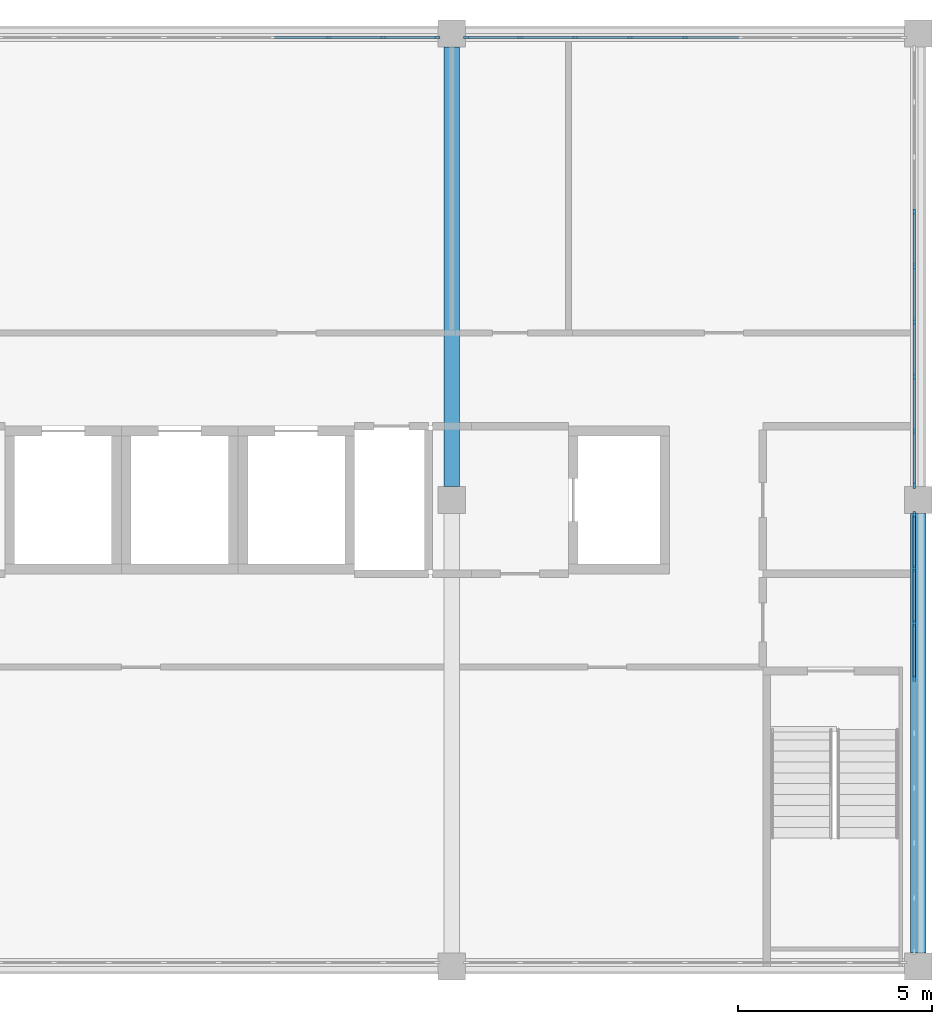
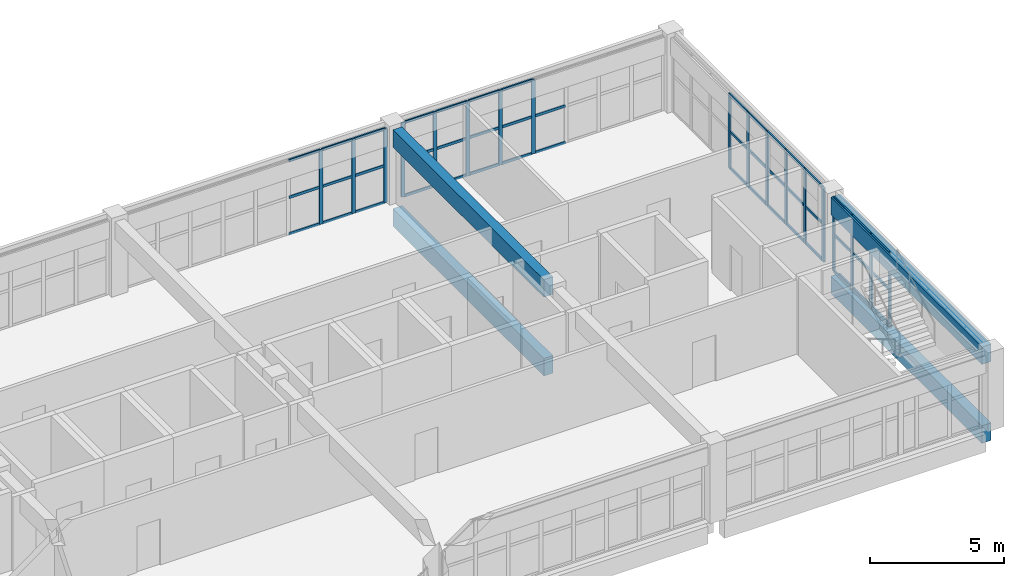
# One storey, part 8 of 16: 65 members, 4 beams, 4 elements without a shape of their own.
"""IFC4 building model written with IfcOpenShell, lengths in metres."""

from ifc_helpers import new_model, si_unit, direction, frame, origin, origin_2d, place, context, subcontext, project, spatial, rectangle, extrude, material, layer, layer_set, material_profile, profile_set, type_object, element, aggregate, save


model = new_model("IFC4")

# Units and contexts
model_context = context("Model", 3, precision=1e-05, world=origin(), true_north=direction((0.0, 1.0)))
body_context = subcontext(model_context, "Body", "Model", "MODEL_VIEW")
ifc_project = project(units=[si_unit("LENGTHUNIT", "METRE"), si_unit("AREAUNIT", "SQUARE_METRE"), si_unit("VOLUMEUNIT", "CUBIC_METRE"), si_unit("PLANEANGLEUNIT", "RADIAN"), si_unit("MASSUNIT", "GRAM", prefix="KILO")], contexts=[model_context])

# Site, building, storey
site_placement = place(None, origin())
site = spatial("IfcSite", under=ifc_project, at=site_placement, CompositionType="ELEMENT")
building_placement = place(site_placement, origin())
building = spatial("IfcBuilding", under=site, at=building_placement, Name="Lilac Gate Convention Centre", CompositionType="ELEMENT")
storey_placement = place(building_placement, frame((0.0, 0.0, 67.800048828125)))
storey = spatial("IfcBuildingStorey", under=building, at=storey_placement, Name="L17", CompositionType="ELEMENT", Elevation=67.800048828125)

# Curtain wall, members
ifc_material_1 = material(Name="Aluminium framed double glazing", Category="aluminium")
ifc_layer = layer(ifc_material_1, 0.199951171875)
ifc_layer_set = layer_set([ifc_layer], Name="Aluminium framed double glazing")
curtain_wall_type = type_object("IfcCurtainWallType", Name="Unitised curtain wall 1500", PredefinedType="NOTDEFINED", material=ifc_layer_set)
curtain_wall_1_placement = place(storey_placement, origin())
curtain_wall_1 = element("IfcCurtainWall", 1, at=curtain_wall_1_placement, inside=storey, type_object=curtain_wall_type, Name="Curtain wall E L17 1", PredefinedType="NOTDEFINED")
ifc_material_2 = material(Name="Aluminium alloy 6063", Category="aluminium")
ifc_material_profile_1 = material_profile(ifc_material_2, rectangle(XDim=0.06005859375, YDim=0.159912109375, at=origin_2d()), Name="Curtain wall mullion 60 x 160")
ifc_profile_set_1 = profile_set([ifc_material_profile_1], Name="Aluminium alloy 6063")
member_type_1 = type_object("IfcMemberType", Name="Curtain wall mullion 60 x 160", PredefinedType="MULLION", material=ifc_profile_set_1)
member_1_placement = place(storey_placement, frame((89.89990234375, 229.41259765625, 0.0), z_axis=(0.0, 0.0, 1.0), x_axis=(-1.0, 0.0, 0.0)))
member_1 = element("IfcMember", 2, at=member_1_placement, type_object=member_type_1, Name="CW mullion 6", PredefinedType="MULLION", context=body_context, shape_type="SweptSolid", body=[
    extrude(rectangle(XDim=0.06005859375, YDim=0.159912109375, at=origin_2d()), origin(), (0.0, 0.0, 1.0), 3.39990234375),
])
member_2_placement = place(storey_placement, frame((89.89990234375, 230.824951171875, 0.0), z_axis=(0.0, 0.0, 1.0), x_axis=(-1.0, 0.0, 0.0)))
member_2 = element("IfcMember", 3, at=member_2_placement, type_object=member_type_1, Name="CW mullion 7", PredefinedType="MULLION", context=body_context, shape_type="SweptSolid", body=[
    extrude(rectangle(XDim=0.06005859375, YDim=0.159912109375, at=origin_2d()), origin(), (0.0, 0.0, 1.0), 3.39990234375),
])
member_3_placement = place(storey_placement, frame((89.89990234375, 232.237548828125, 0.0), z_axis=(0.0, 0.0, 1.0), x_axis=(-1.0, 0.0, 0.0)))
member_3 = element("IfcMember", 4, at=member_3_placement, type_object=member_type_1, Name="CW mullion 8", PredefinedType="MULLION", context=body_context, shape_type="SweptSolid", body=[
    extrude(rectangle(XDim=0.06005859375, YDim=0.159912109375, at=origin_2d()), origin(), (0.0, 0.0, 1.0), 3.39990234375),
])
member_4_placement = place(storey_placement, frame((89.89990234375, 233.619873046875, 0.0), z_axis=(0.0, 0.0, 1.0), x_axis=(-1.0, 0.0, 0.0)))
member_4 = element("IfcMember", 5, at=member_4_placement, type_object=member_type_1, Name="CW mullion 9", PredefinedType="MULLION", context=body_context, shape_type="SweptSolid", body=[
    extrude(rectangle(XDim=0.06005859375, YDim=0.159912109375, at=origin_2d()), origin(), (0.0, 0.0, 1.0), 3.39990234375),
])

curtain_wall_2_placement = place(storey_placement, origin())
curtain_wall_2 = element("IfcCurtainWall", 6, at=curtain_wall_2_placement, inside=storey, type_object=curtain_wall_type, Name="Curtain wall E L17 2", PredefinedType="NOTDEFINED")
member_5_placement = place(storey_placement, frame((89.89990234375, 234.380126953125, 0.0), z_axis=(0.0, 0.0, 1.0), x_axis=(-1.0, 0.0, 0.0)))
member_5 = element("IfcMember", 7, at=member_5_placement, type_object=member_type_1, Name="CW mullion 1", PredefinedType="MULLION", context=body_context, shape_type="SweptSolid", body=[
    extrude(rectangle(XDim=0.06005859375, YDim=0.159912109375, at=origin_2d()), origin(), (0.0, 0.0, 1.0), 3.39990234375),
])
member_6_placement = place(storey_placement, frame((89.89990234375, 235.762451171875, 0.0), z_axis=(0.0, 0.0, 1.0), x_axis=(-1.0, 0.0, 0.0)))
member_6 = element("IfcMember", 8, at=member_6_placement, type_object=member_type_1, Name="CW mullion 2", PredefinedType="MULLION", context=body_context, shape_type="SweptSolid", body=[
    extrude(rectangle(XDim=0.06005859375, YDim=0.159912109375, at=origin_2d()), origin(), (0.0, 0.0, 1.0), 3.39990234375),
])
member_7_placement = place(storey_placement, frame((89.89990234375, 237.175048828125, 0.0), z_axis=(0.0, 0.0, 1.0), x_axis=(-1.0, 0.0, 0.0)))
member_7 = element("IfcMember", 9, at=member_7_placement, type_object=member_type_1, Name="CW mullion 3", PredefinedType="MULLION", context=body_context, shape_type="SweptSolid", body=[
    extrude(rectangle(XDim=0.06005859375, YDim=0.159912109375, at=origin_2d()), origin(), (0.0, 0.0, 1.0), 3.39990234375),
])
member_8_placement = place(storey_placement, frame((89.89990234375, 238.58740234375, 0.0), z_axis=(0.0, 0.0, 1.0), x_axis=(-1.0, 0.0, 0.0)))
member_8 = element("IfcMember", 10, at=member_8_placement, type_object=member_type_1, Name="CW mullion 4", PredefinedType="MULLION", context=body_context, shape_type="SweptSolid", body=[
    extrude(rectangle(XDim=0.06005859375, YDim=0.159912109375, at=origin_2d()), origin(), (0.0, 0.0, 1.0), 3.39990234375),
])
member_9_placement = place(storey_placement, frame((89.89990234375, 240.0, 0.0), z_axis=(0.0, 0.0, 1.0), x_axis=(-1.0, 0.0, 0.0)))
member_9 = element("IfcMember", 11, at=member_9_placement, type_object=member_type_1, Name="CW mullion 5", PredefinedType="MULLION", context=body_context, shape_type="SweptSolid", body=[
    extrude(rectangle(XDim=0.06005859375, YDim=0.159912109375, at=origin_2d()), origin(), (0.0, 0.0, 1.0), 3.39990234375),
])
member_10_placement = place(storey_placement, frame((89.89990234375, 241.41259765625, 0.0), z_axis=(0.0, 0.0, 1.0), x_axis=(-1.0, 0.0, 0.0)))
member_10 = element("IfcMember", 12, at=member_10_placement, type_object=member_type_1, Name="CW mullion 6", PredefinedType="MULLION", context=body_context, shape_type="SweptSolid", body=[
    extrude(rectangle(XDim=0.06005859375, YDim=0.159912109375, at=origin_2d()), origin(), (0.0, 0.0, 1.0), 3.39990234375),
])

curtain_wall_3_placement = place(storey_placement, origin())
curtain_wall_3 = element("IfcCurtainWall", 13, at=curtain_wall_3_placement, inside=storey, type_object=curtain_wall_type, Name="Curtain wall N L17 1", PredefinedType="NOTDEFINED")
member_11_placement = place(storey_placement, frame((84.0, 245.89990234375, 0.0), z_axis=(0.0, 0.0, 1.0), x_axis=(0.0, -1.0, 0.0)))
member_11 = element("IfcMember", 14, at=member_11_placement, type_object=member_type_1, Name="CW mullion 5", PredefinedType="MULLION", context=body_context, shape_type="SweptSolid", body=[
    extrude(rectangle(XDim=0.06005859375, YDim=0.159912109375, at=origin_2d()), origin(), (0.0, 0.0, 1.0), 3.39990234375),
])
member_12_placement = place(storey_placement, frame((82.58740234375, 245.89990234375, 0.0), z_axis=(0.0, 0.0, 1.0), x_axis=(0.0, -1.0, 0.0)))
member_12 = element("IfcMember", 15, at=member_12_placement, type_object=member_type_1, Name="CW mullion 6", PredefinedType="MULLION", context=body_context, shape_type="SweptSolid", body=[
    extrude(rectangle(XDim=0.06005859375, YDim=0.159912109375, at=origin_2d()), origin(), (0.0, 0.0, 1.0), 3.39990234375),
])
member_13_placement = place(storey_placement, frame((81.175048828125, 245.89990234375, 0.0), z_axis=(0.0, 0.0, 1.0), x_axis=(0.0, -1.0, 0.0)))
member_13 = element("IfcMember", 16, at=member_13_placement, type_object=member_type_1, Name="CW mullion 7", PredefinedType="MULLION", context=body_context, shape_type="SweptSolid", body=[
    extrude(rectangle(XDim=0.06005859375, YDim=0.159912109375, at=origin_2d()), origin(), (0.0, 0.0, 1.0), 3.39990234375),
])
member_14_placement = place(storey_placement, frame((79.762451171875, 245.89990234375, 0.0), z_axis=(0.0, 0.0, 1.0), x_axis=(0.0, -1.0, 0.0)))
member_14 = element("IfcMember", 17, at=member_14_placement, type_object=member_type_1, Name="CW mullion 8", PredefinedType="MULLION", context=body_context, shape_type="SweptSolid", body=[
    extrude(rectangle(XDim=0.06005859375, YDim=0.159912109375, at=origin_2d()), origin(), (0.0, 0.0, 1.0), 3.39990234375),
])
member_15_placement = place(storey_placement, frame((78.380126953125, 245.89990234375, 0.0), z_axis=(0.0, 0.0, 1.0), x_axis=(0.0, -1.0, 0.0)))
member_15 = element("IfcMember", 18, at=member_15_placement, type_object=member_type_1, Name="CW mullion 9", PredefinedType="MULLION", context=body_context, shape_type="SweptSolid", body=[
    extrude(rectangle(XDim=0.06005859375, YDim=0.159912109375, at=origin_2d()), origin(), (0.0, 0.0, 1.0), 3.39990234375),
])

curtain_wall_4_placement = place(storey_placement, origin())
curtain_wall_4 = element("IfcCurtainWall", 19, at=curtain_wall_4_placement, inside=storey, type_object=curtain_wall_type, Name="Curtain wall N L17 2", PredefinedType="NOTDEFINED")
member_16_placement = place(storey_placement, frame((77.619873046875, 245.89990234375, 0.0), z_axis=(0.0, 0.0, 1.0), x_axis=(0.0, -1.0, 0.0)))
member_16 = element("IfcMember", 20, at=member_16_placement, type_object=member_type_1, Name="CW mullion 1", PredefinedType="MULLION", context=body_context, shape_type="SweptSolid", body=[
    extrude(rectangle(XDim=0.06005859375, YDim=0.159912109375, at=origin_2d()), origin(), (0.0, 0.0, 1.0), 3.39990234375),
])
member_17_placement = place(storey_placement, frame((76.237548828125, 245.89990234375, 0.0), z_axis=(0.0, 0.0, 1.0), x_axis=(0.0, -1.0, 0.0)))
member_17 = element("IfcMember", 21, at=member_17_placement, type_object=member_type_1, Name="CW mullion 2", PredefinedType="MULLION", context=body_context, shape_type="SweptSolid", body=[
    extrude(rectangle(XDim=0.06005859375, YDim=0.159912109375, at=origin_2d()), origin(), (0.0, 0.0, 1.0), 3.39990234375),
])
member_18_placement = place(storey_placement, frame((74.824951171875, 245.89990234375, 0.0), z_axis=(0.0, 0.0, 1.0), x_axis=(0.0, -1.0, 0.0)))
member_18 = element("IfcMember", 22, at=member_18_placement, type_object=member_type_1, Name="CW mullion 3", PredefinedType="MULLION", context=body_context, shape_type="SweptSolid", body=[
    extrude(rectangle(XDim=0.06005859375, YDim=0.159912109375, at=origin_2d()), origin(), (0.0, 0.0, 1.0), 3.39990234375),
])

# Member
ifc_material_profile_2 = material_profile(ifc_material_2, rectangle(XDim=0.06005859375, YDim=0.1201171875, at=origin_2d()), Name="Curtain wall transom 60 x 120")
ifc_profile_set_2 = profile_set([ifc_material_profile_2], Name="Aluminium alloy 6063")
member_type_2 = type_object("IfcMemberType", Name="Curtain wall transom 60 x 120", PredefinedType="USERDEFINED", material=ifc_profile_set_2)
member_19_placement = place(storey_placement, frame((89.89990234375, 229.4423828125, 0.030029296875), z_axis=(0.0, 1.0, 0.0), x_axis=(-1.0, 0.0, 0.0)))
member_19 = element("IfcMember", 23, at=member_19_placement, type_object=member_type_2, Name="CW transom 6.1", ObjectType="TRANSOM", PredefinedType="USERDEFINED", context=body_context, shape_type="SweptSolid", body=[
    extrude(rectangle(XDim=0.06005859375, YDim=0.1201171875, at=origin_2d()), origin(), (0.0, 0.0, 1.0), 1.3525390625),
])

member_20_placement = place(storey_placement, frame((89.89990234375, 229.4423828125, 1.699951171875), z_axis=(0.0, 1.0, 0.0), x_axis=(-1.0, 0.0, 0.0)))
member_20 = element("IfcMember", 24, at=member_20_placement, type_object=member_type_2, Name="CW transom 6.2", ObjectType="TRANSOM", PredefinedType="USERDEFINED", context=body_context, shape_type="SweptSolid", body=[
    extrude(rectangle(XDim=0.06005859375, YDim=0.1201171875, at=origin_2d()), origin(), (0.0, 0.0, 1.0), 1.3525390625),
])

member_21_placement = place(storey_placement, frame((89.89990234375, 229.4423828125, 3.369873046875), z_axis=(0.0, 1.0, 0.0), x_axis=(-1.0, 0.0, 0.0)))
member_21 = element("IfcMember", 25, at=member_21_placement, type_object=member_type_2, Name="CW transom 6.3", ObjectType="TRANSOM", PredefinedType="USERDEFINED", context=body_context, shape_type="SweptSolid", body=[
    extrude(rectangle(XDim=0.06005859375, YDim=0.1201171875, at=origin_2d()), origin(), (0.0, 0.0, 1.0), 1.3525390625),
])

member_22_placement = place(storey_placement, frame((89.89990234375, 230.85498046875, 0.030029296875), z_axis=(0.0, 1.0, 0.0), x_axis=(-1.0, 0.0, 0.0)))
member_22 = element("IfcMember", 26, at=member_22_placement, type_object=member_type_2, Name="CW transom 7.1", ObjectType="TRANSOM", PredefinedType="USERDEFINED", context=body_context, shape_type="SweptSolid", body=[
    extrude(rectangle(XDim=0.06005859375, YDim=0.1201171875, at=origin_2d()), origin(), (0.0, 0.0, 1.0), 1.3525390625),
])

member_23_placement = place(storey_placement, frame((89.89990234375, 230.85498046875, 1.699951171875), z_axis=(0.0, 1.0, 0.0), x_axis=(-1.0, 0.0, 0.0)))
member_23 = element("IfcMember", 27, at=member_23_placement, type_object=member_type_2, Name="CW transom 7.2", ObjectType="TRANSOM", PredefinedType="USERDEFINED", context=body_context, shape_type="SweptSolid", body=[
    extrude(rectangle(XDim=0.06005859375, YDim=0.1201171875, at=origin_2d()), origin(), (0.0, 0.0, 1.0), 1.3525390625),
])

member_24_placement = place(storey_placement, frame((89.89990234375, 230.85498046875, 3.369873046875), z_axis=(0.0, 1.0, 0.0), x_axis=(-1.0, 0.0, 0.0)))
member_24 = element("IfcMember", 28, at=member_24_placement, type_object=member_type_2, Name="CW transom 7.3", ObjectType="TRANSOM", PredefinedType="USERDEFINED", context=body_context, shape_type="SweptSolid", body=[
    extrude(rectangle(XDim=0.06005859375, YDim=0.1201171875, at=origin_2d()), origin(), (0.0, 0.0, 1.0), 1.3525390625),
])

member_25_placement = place(storey_placement, frame((89.89990234375, 232.267333984375, 0.030029296875), z_axis=(0.0, 1.0, 0.0), x_axis=(-1.0, 0.0, 0.0)))
member_25 = element("IfcMember", 29, at=member_25_placement, type_object=member_type_2, Name="CW transom 8.1", ObjectType="TRANSOM", PredefinedType="USERDEFINED", context=body_context, shape_type="SweptSolid", body=[
    extrude(rectangle(XDim=0.06005859375, YDim=0.1201171875, at=origin_2d()), origin(), (0.0, 0.0, 1.0), 1.322509765625),
])

member_26_placement = place(storey_placement, frame((89.89990234375, 232.267333984375, 1.699951171875), z_axis=(0.0, 1.0, 0.0), x_axis=(-1.0, 0.0, 0.0)))
member_26 = element("IfcMember", 30, at=member_26_placement, type_object=member_type_2, Name="CW transom 8.2", ObjectType="TRANSOM", PredefinedType="USERDEFINED", context=body_context, shape_type="SweptSolid", body=[
    extrude(rectangle(XDim=0.06005859375, YDim=0.1201171875, at=origin_2d()), origin(), (0.0, 0.0, 1.0), 1.322509765625),
])

member_27_placement = place(storey_placement, frame((89.89990234375, 232.267333984375, 3.369873046875), z_axis=(0.0, 1.0, 0.0), x_axis=(-1.0, 0.0, 0.0)))
member_27 = element("IfcMember", 31, at=member_27_placement, type_object=member_type_2, Name="CW transom 8.3", ObjectType="TRANSOM", PredefinedType="USERDEFINED", context=body_context, shape_type="SweptSolid", body=[
    extrude(rectangle(XDim=0.06005859375, YDim=0.1201171875, at=origin_2d()), origin(), (0.0, 0.0, 1.0), 1.322509765625),
])

aggregate(curtain_wall_1, [member_1, member_2, member_3, member_4, member_19, member_20, member_21, member_22, member_23, member_24, member_25, member_26, member_27])

member_28_placement = place(storey_placement, frame((89.89990234375, 234.41015625, 0.030029296875), z_axis=(0.0, 1.0, 0.0), x_axis=(-1.0, 0.0, 0.0)))
member_28 = element("IfcMember", 32, at=member_28_placement, type_object=member_type_2, Name="CW transom 1.1", ObjectType="TRANSOM", PredefinedType="USERDEFINED", context=body_context, shape_type="SweptSolid", body=[
    extrude(rectangle(XDim=0.06005859375, YDim=0.1201171875, at=origin_2d()), origin(), (0.0, 0.0, 1.0), 1.322509765625),
])

member_29_placement = place(storey_placement, frame((89.89990234375, 234.41015625, 1.699951171875), z_axis=(0.0, 1.0, 0.0), x_axis=(-1.0, 0.0, 0.0)))
member_29 = element("IfcMember", 33, at=member_29_placement, type_object=member_type_2, Name="CW transom 1.2", ObjectType="TRANSOM", PredefinedType="USERDEFINED", context=body_context, shape_type="SweptSolid", body=[
    extrude(rectangle(XDim=0.06005859375, YDim=0.1201171875, at=origin_2d()), origin(), (0.0, 0.0, 1.0), 1.322509765625),
])

member_30_placement = place(storey_placement, frame((89.89990234375, 234.41015625, 3.369873046875), z_axis=(0.0, 1.0, 0.0), x_axis=(-1.0, 0.0, 0.0)))
member_30 = element("IfcMember", 34, at=member_30_placement, type_object=member_type_2, Name="CW transom 1.3", ObjectType="TRANSOM", PredefinedType="USERDEFINED", context=body_context, shape_type="SweptSolid", body=[
    extrude(rectangle(XDim=0.06005859375, YDim=0.1201171875, at=origin_2d()), origin(), (0.0, 0.0, 1.0), 1.322509765625),
])

member_31_placement = place(storey_placement, frame((89.89990234375, 235.79248046875, 0.030029296875), z_axis=(0.0, 1.0, 0.0), x_axis=(-1.0, 0.0, 0.0)))
member_31 = element("IfcMember", 35, at=member_31_placement, type_object=member_type_2, Name="CW transom 2.1", ObjectType="TRANSOM", PredefinedType="USERDEFINED", context=body_context, shape_type="SweptSolid", body=[
    extrude(rectangle(XDim=0.06005859375, YDim=0.1201171875, at=origin_2d()), origin(), (0.0, 0.0, 1.0), 1.3525390625),
])

member_32_placement = place(storey_placement, frame((89.89990234375, 235.79248046875, 1.699951171875), z_axis=(0.0, 1.0, 0.0), x_axis=(-1.0, 0.0, 0.0)))
member_32 = element("IfcMember", 36, at=member_32_placement, type_object=member_type_2, Name="CW transom 2.2", ObjectType="TRANSOM", PredefinedType="USERDEFINED", context=body_context, shape_type="SweptSolid", body=[
    extrude(rectangle(XDim=0.06005859375, YDim=0.1201171875, at=origin_2d()), origin(), (0.0, 0.0, 1.0), 1.3525390625),
])

member_33_placement = place(storey_placement, frame((89.89990234375, 235.79248046875, 3.369873046875), z_axis=(0.0, 1.0, 0.0), x_axis=(-1.0, 0.0, 0.0)))
member_33 = element("IfcMember", 37, at=member_33_placement, type_object=member_type_2, Name="CW transom 2.3", ObjectType="TRANSOM", PredefinedType="USERDEFINED", context=body_context, shape_type="SweptSolid", body=[
    extrude(rectangle(XDim=0.06005859375, YDim=0.1201171875, at=origin_2d()), origin(), (0.0, 0.0, 1.0), 1.3525390625),
])

member_34_placement = place(storey_placement, frame((89.89990234375, 237.205078125, 0.030029296875), z_axis=(0.0, 1.0, 0.0), x_axis=(-1.0, 0.0, 0.0)))
member_34 = element("IfcMember", 38, at=member_34_placement, type_object=member_type_2, Name="CW transom 3.1", ObjectType="TRANSOM", PredefinedType="USERDEFINED", context=body_context, shape_type="SweptSolid", body=[
    extrude(rectangle(XDim=0.06005859375, YDim=0.1201171875, at=origin_2d()), origin(), (0.0, 0.0, 1.0), 1.3525390625),
])

member_35_placement = place(storey_placement, frame((89.89990234375, 237.205078125, 1.699951171875), z_axis=(0.0, 1.0, 0.0), x_axis=(-1.0, 0.0, 0.0)))
member_35 = element("IfcMember", 39, at=member_35_placement, type_object=member_type_2, Name="CW transom 3.2", ObjectType="TRANSOM", PredefinedType="USERDEFINED", context=body_context, shape_type="SweptSolid", body=[
    extrude(rectangle(XDim=0.06005859375, YDim=0.1201171875, at=origin_2d()), origin(), (0.0, 0.0, 1.0), 1.3525390625),
])

member_36_placement = place(storey_placement, frame((89.89990234375, 237.205078125, 3.369873046875), z_axis=(0.0, 1.0, 0.0), x_axis=(-1.0, 0.0, 0.0)))
member_36 = element("IfcMember", 40, at=member_36_placement, type_object=member_type_2, Name="CW transom 3.3", ObjectType="TRANSOM", PredefinedType="USERDEFINED", context=body_context, shape_type="SweptSolid", body=[
    extrude(rectangle(XDim=0.06005859375, YDim=0.1201171875, at=origin_2d()), origin(), (0.0, 0.0, 1.0), 1.3525390625),
])

member_37_placement = place(storey_placement, frame((89.89990234375, 238.617431640625, 0.030029296875), z_axis=(0.0, 1.0, 0.0), x_axis=(-1.0, 0.0, 0.0)))
member_37 = element("IfcMember", 41, at=member_37_placement, type_object=member_type_2, Name="CW transom 4.1", ObjectType="TRANSOM", PredefinedType="USERDEFINED", context=body_context, shape_type="SweptSolid", body=[
    extrude(rectangle(XDim=0.06005859375, YDim=0.1201171875, at=origin_2d()), origin(), (0.0, 0.0, 1.0), 1.3525390625),
])

member_38_placement = place(storey_placement, frame((89.89990234375, 238.617431640625, 1.699951171875), z_axis=(0.0, 1.0, 0.0), x_axis=(-1.0, 0.0, 0.0)))
member_38 = element("IfcMember", 42, at=member_38_placement, type_object=member_type_2, Name="CW transom 4.2", ObjectType="TRANSOM", PredefinedType="USERDEFINED", context=body_context, shape_type="SweptSolid", body=[
    extrude(rectangle(XDim=0.06005859375, YDim=0.1201171875, at=origin_2d()), origin(), (0.0, 0.0, 1.0), 1.3525390625),
])

member_39_placement = place(storey_placement, frame((89.89990234375, 238.617431640625, 3.369873046875), z_axis=(0.0, 1.0, 0.0), x_axis=(-1.0, 0.0, 0.0)))
member_39 = element("IfcMember", 43, at=member_39_placement, type_object=member_type_2, Name="CW transom 4.3", ObjectType="TRANSOM", PredefinedType="USERDEFINED", context=body_context, shape_type="SweptSolid", body=[
    extrude(rectangle(XDim=0.06005859375, YDim=0.1201171875, at=origin_2d()), origin(), (0.0, 0.0, 1.0), 1.3525390625),
])

member_40_placement = place(storey_placement, frame((89.89990234375, 240.030029296875, 0.030029296875), z_axis=(0.0, 1.0, 0.0), x_axis=(-1.0, 0.0, 0.0)))
member_40 = element("IfcMember", 44, at=member_40_placement, type_object=member_type_2, Name="CW transom 5.1", ObjectType="TRANSOM", PredefinedType="USERDEFINED", context=body_context, shape_type="SweptSolid", body=[
    extrude(rectangle(XDim=0.06005859375, YDim=0.1201171875, at=origin_2d()), origin(), (0.0, 0.0, 1.0), 1.3525390625),
])

member_41_placement = place(storey_placement, frame((89.89990234375, 240.030029296875, 1.699951171875), z_axis=(0.0, 1.0, 0.0), x_axis=(-1.0, 0.0, 0.0)))
member_41 = element("IfcMember", 45, at=member_41_placement, type_object=member_type_2, Name="CW transom 5.2", ObjectType="TRANSOM", PredefinedType="USERDEFINED", context=body_context, shape_type="SweptSolid", body=[
    extrude(rectangle(XDim=0.06005859375, YDim=0.1201171875, at=origin_2d()), origin(), (0.0, 0.0, 1.0), 1.3525390625),
])

member_42_placement = place(storey_placement, frame((89.89990234375, 240.030029296875, 3.369873046875), z_axis=(0.0, 1.0, 0.0), x_axis=(-1.0, 0.0, 0.0)))
member_42 = element("IfcMember", 46, at=member_42_placement, type_object=member_type_2, Name="CW transom 5.3", ObjectType="TRANSOM", PredefinedType="USERDEFINED", context=body_context, shape_type="SweptSolid", body=[
    extrude(rectangle(XDim=0.06005859375, YDim=0.1201171875, at=origin_2d()), origin(), (0.0, 0.0, 1.0), 1.3525390625),
])

aggregate(curtain_wall_2, [member_5, member_6, member_7, member_8, member_9, member_10, member_28, member_29, member_30, member_31, member_32, member_33, member_34, member_35, member_36, member_37, member_38, member_39, member_40, member_41, member_42])

member_43_placement = place(storey_placement, frame((85.382568359375, 245.89990234375, 0.030029296875), z_axis=(-1.0, 0.0, 0.0), x_axis=(0.0, -1.0, 0.0)))
member_43 = element("IfcMember", 47, at=member_43_placement, type_object=member_type_2, Name="CW transom 4.1", ObjectType="TRANSOM", PredefinedType="USERDEFINED", context=body_context, shape_type="SweptSolid", body=[
    extrude(rectangle(XDim=0.06005859375, YDim=0.1201171875, at=origin_2d()), origin(), (0.0, 0.0, 1.0), 1.3525390625),
])

member_44_placement = place(storey_placement, frame((85.382568359375, 245.89990234375, 1.699951171875), z_axis=(-1.0, 0.0, 0.0), x_axis=(0.0, -1.0, 0.0)))
member_44 = element("IfcMember", 48, at=member_44_placement, type_object=member_type_2, Name="CW transom 4.2", ObjectType="TRANSOM", PredefinedType="USERDEFINED", context=body_context, shape_type="SweptSolid", body=[
    extrude(rectangle(XDim=0.06005859375, YDim=0.1201171875, at=origin_2d()), origin(), (0.0, 0.0, 1.0), 1.3525390625),
])

member_45_placement = place(storey_placement, frame((83.969970703125, 245.89990234375, 0.030029296875), z_axis=(-1.0, 0.0, 0.0), x_axis=(0.0, -1.0, 0.0)))
member_45 = element("IfcMember", 49, at=member_45_placement, type_object=member_type_2, Name="CW transom 5.1", ObjectType="TRANSOM", PredefinedType="USERDEFINED", context=body_context, shape_type="SweptSolid", body=[
    extrude(rectangle(XDim=0.06005859375, YDim=0.1201171875, at=origin_2d()), origin(), (0.0, 0.0, 1.0), 1.3525390625),
])

member_46_placement = place(storey_placement, frame((83.969970703125, 245.89990234375, 1.699951171875), z_axis=(-1.0, 0.0, 0.0), x_axis=(0.0, -1.0, 0.0)))
member_46 = element("IfcMember", 50, at=member_46_placement, type_object=member_type_2, Name="CW transom 5.2", ObjectType="TRANSOM", PredefinedType="USERDEFINED", context=body_context, shape_type="SweptSolid", body=[
    extrude(rectangle(XDim=0.06005859375, YDim=0.1201171875, at=origin_2d()), origin(), (0.0, 0.0, 1.0), 1.3525390625),
])

member_47_placement = place(storey_placement, frame((83.969970703125, 245.89990234375, 3.369873046875), z_axis=(-1.0, 0.0, 0.0), x_axis=(0.0, -1.0, 0.0)))
member_47 = element("IfcMember", 51, at=member_47_placement, type_object=member_type_2, Name="CW transom 5.3", ObjectType="TRANSOM", PredefinedType="USERDEFINED", context=body_context, shape_type="SweptSolid", body=[
    extrude(rectangle(XDim=0.06005859375, YDim=0.1201171875, at=origin_2d()), origin(), (0.0, 0.0, 1.0), 1.3525390625),
])

member_48_placement = place(storey_placement, frame((82.5576171875, 245.89990234375, 0.030029296875), z_axis=(-1.0, 0.0, 0.0), x_axis=(0.0, -1.0, 0.0)))
member_48 = element("IfcMember", 52, at=member_48_placement, type_object=member_type_2, Name="CW transom 6.1", ObjectType="TRANSOM", PredefinedType="USERDEFINED", context=body_context, shape_type="SweptSolid", body=[
    extrude(rectangle(XDim=0.06005859375, YDim=0.1201171875, at=origin_2d()), origin(), (0.0, 0.0, 1.0), 1.3525390625),
])

member_49_placement = place(storey_placement, frame((82.5576171875, 245.89990234375, 1.699951171875), z_axis=(-1.0, 0.0, 0.0), x_axis=(0.0, -1.0, 0.0)))
member_49 = element("IfcMember", 53, at=member_49_placement, type_object=member_type_2, Name="CW transom 6.2", ObjectType="TRANSOM", PredefinedType="USERDEFINED", context=body_context, shape_type="SweptSolid", body=[
    extrude(rectangle(XDim=0.06005859375, YDim=0.1201171875, at=origin_2d()), origin(), (0.0, 0.0, 1.0), 1.3525390625),
])

member_50_placement = place(storey_placement, frame((82.5576171875, 245.89990234375, 3.369873046875), z_axis=(-1.0, 0.0, 0.0), x_axis=(0.0, -1.0, 0.0)))
member_50 = element("IfcMember", 54, at=member_50_placement, type_object=member_type_2, Name="CW transom 6.3", ObjectType="TRANSOM", PredefinedType="USERDEFINED", context=body_context, shape_type="SweptSolid", body=[
    extrude(rectangle(XDim=0.06005859375, YDim=0.1201171875, at=origin_2d()), origin(), (0.0, 0.0, 1.0), 1.3525390625),
])

member_51_placement = place(storey_placement, frame((81.14501953125, 245.89990234375, 0.030029296875), z_axis=(-1.0, 0.0, 0.0), x_axis=(0.0, -1.0, 0.0)))
member_51 = element("IfcMember", 55, at=member_51_placement, type_object=member_type_2, Name="CW transom 7.1", ObjectType="TRANSOM", PredefinedType="USERDEFINED", context=body_context, shape_type="SweptSolid", body=[
    extrude(rectangle(XDim=0.06005859375, YDim=0.1201171875, at=origin_2d()), origin(), (0.0, 0.0, 1.0), 1.3525390625),
])

member_52_placement = place(storey_placement, frame((81.14501953125, 245.89990234375, 1.699951171875), z_axis=(-1.0, 0.0, 0.0), x_axis=(0.0, -1.0, 0.0)))
member_52 = element("IfcMember", 56, at=member_52_placement, type_object=member_type_2, Name="CW transom 7.2", ObjectType="TRANSOM", PredefinedType="USERDEFINED", context=body_context, shape_type="SweptSolid", body=[
    extrude(rectangle(XDim=0.06005859375, YDim=0.1201171875, at=origin_2d()), origin(), (0.0, 0.0, 1.0), 1.3525390625),
])

member_53_placement = place(storey_placement, frame((81.14501953125, 245.89990234375, 3.369873046875), z_axis=(-1.0, 0.0, 0.0), x_axis=(0.0, -1.0, 0.0)))
member_53 = element("IfcMember", 57, at=member_53_placement, type_object=member_type_2, Name="CW transom 7.3", ObjectType="TRANSOM", PredefinedType="USERDEFINED", context=body_context, shape_type="SweptSolid", body=[
    extrude(rectangle(XDim=0.06005859375, YDim=0.1201171875, at=origin_2d()), origin(), (0.0, 0.0, 1.0), 1.3525390625),
])

member_54_placement = place(storey_placement, frame((79.732666015625, 245.89990234375, 0.030029296875), z_axis=(-1.0, 0.0, 0.0), x_axis=(0.0, -1.0, 0.0)))
member_54 = element("IfcMember", 58, at=member_54_placement, type_object=member_type_2, Name="CW transom 8.1", ObjectType="TRANSOM", PredefinedType="USERDEFINED", context=body_context, shape_type="SweptSolid", body=[
    extrude(rectangle(XDim=0.06005859375, YDim=0.1201171875, at=origin_2d()), origin(), (0.0, 0.0, 1.0), 1.322509765625),
])

member_55_placement = place(storey_placement, frame((79.732666015625, 245.89990234375, 1.699951171875), z_axis=(-1.0, 0.0, 0.0), x_axis=(0.0, -1.0, 0.0)))
member_55 = element("IfcMember", 59, at=member_55_placement, type_object=member_type_2, Name="CW transom 8.2", ObjectType="TRANSOM", PredefinedType="USERDEFINED", context=body_context, shape_type="SweptSolid", body=[
    extrude(rectangle(XDim=0.06005859375, YDim=0.1201171875, at=origin_2d()), origin(), (0.0, 0.0, 1.0), 1.322509765625),
])

member_56_placement = place(storey_placement, frame((79.732666015625, 245.89990234375, 3.369873046875), z_axis=(-1.0, 0.0, 0.0), x_axis=(0.0, -1.0, 0.0)))
member_56 = element("IfcMember", 60, at=member_56_placement, type_object=member_type_2, Name="CW transom 8.3", ObjectType="TRANSOM", PredefinedType="USERDEFINED", context=body_context, shape_type="SweptSolid", body=[
    extrude(rectangle(XDim=0.06005859375, YDim=0.1201171875, at=origin_2d()), origin(), (0.0, 0.0, 1.0), 1.322509765625),
])

aggregate(curtain_wall_3, [member_11, member_12, member_13, member_14, member_15, member_43, member_44, member_45, member_46, member_47, member_48, member_49, member_50, member_51, member_52, member_53, member_54, member_55, member_56])

member_57_placement = place(storey_placement, frame((77.58984375, 245.89990234375, 0.030029296875), z_axis=(-1.0, 0.0, 0.0), x_axis=(0.0, -1.0, 0.0)))
member_57 = element("IfcMember", 61, at=member_57_placement, type_object=member_type_2, Name="CW transom 1.1", ObjectType="TRANSOM", PredefinedType="USERDEFINED", context=body_context, shape_type="SweptSolid", body=[
    extrude(rectangle(XDim=0.06005859375, YDim=0.1201171875, at=origin_2d()), origin(), (0.0, 0.0, 1.0), 1.322509765625),
])

member_58_placement = place(storey_placement, frame((77.58984375, 245.89990234375, 1.699951171875), z_axis=(-1.0, 0.0, 0.0), x_axis=(0.0, -1.0, 0.0)))
member_58 = element("IfcMember", 62, at=member_58_placement, type_object=member_type_2, Name="CW transom 1.2", ObjectType="TRANSOM", PredefinedType="USERDEFINED", context=body_context, shape_type="SweptSolid", body=[
    extrude(rectangle(XDim=0.06005859375, YDim=0.1201171875, at=origin_2d()), origin(), (0.0, 0.0, 1.0), 1.322509765625),
])

member_59_placement = place(storey_placement, frame((77.58984375, 245.89990234375, 3.369873046875), z_axis=(-1.0, 0.0, 0.0), x_axis=(0.0, -1.0, 0.0)))
member_59 = element("IfcMember", 63, at=member_59_placement, type_object=member_type_2, Name="CW transom 1.3", ObjectType="TRANSOM", PredefinedType="USERDEFINED", context=body_context, shape_type="SweptSolid", body=[
    extrude(rectangle(XDim=0.06005859375, YDim=0.1201171875, at=origin_2d()), origin(), (0.0, 0.0, 1.0), 1.322509765625),
])

member_60_placement = place(storey_placement, frame((76.20751953125, 245.89990234375, 0.030029296875), z_axis=(-1.0, 0.0, 0.0), x_axis=(0.0, -1.0, 0.0)))
member_60 = element("IfcMember", 64, at=member_60_placement, type_object=member_type_2, Name="CW transom 2.1", ObjectType="TRANSOM", PredefinedType="USERDEFINED", context=body_context, shape_type="SweptSolid", body=[
    extrude(rectangle(XDim=0.06005859375, YDim=0.1201171875, at=origin_2d()), origin(), (0.0, 0.0, 1.0), 1.3525390625),
])

member_61_placement = place(storey_placement, frame((76.20751953125, 245.89990234375, 1.699951171875), z_axis=(-1.0, 0.0, 0.0), x_axis=(0.0, -1.0, 0.0)))
member_61 = element("IfcMember", 65, at=member_61_placement, type_object=member_type_2, Name="CW transom 2.2", ObjectType="TRANSOM", PredefinedType="USERDEFINED", context=body_context, shape_type="SweptSolid", body=[
    extrude(rectangle(XDim=0.06005859375, YDim=0.1201171875, at=origin_2d()), origin(), (0.0, 0.0, 1.0), 1.3525390625),
])

member_62_placement = place(storey_placement, frame((76.20751953125, 245.89990234375, 3.369873046875), z_axis=(-1.0, 0.0, 0.0), x_axis=(0.0, -1.0, 0.0)))
member_62 = element("IfcMember", 66, at=member_62_placement, type_object=member_type_2, Name="CW transom 2.3", ObjectType="TRANSOM", PredefinedType="USERDEFINED", context=body_context, shape_type="SweptSolid", body=[
    extrude(rectangle(XDim=0.06005859375, YDim=0.1201171875, at=origin_2d()), origin(), (0.0, 0.0, 1.0), 1.3525390625),
])

member_63_placement = place(storey_placement, frame((74.794921875, 245.89990234375, 0.030029296875), z_axis=(-1.0, 0.0, 0.0), x_axis=(0.0, -1.0, 0.0)))
member_63 = element("IfcMember", 67, at=member_63_placement, type_object=member_type_2, Name="CW transom 3.1", ObjectType="TRANSOM", PredefinedType="USERDEFINED", context=body_context, shape_type="SweptSolid", body=[
    extrude(rectangle(XDim=0.06005859375, YDim=0.1201171875, at=origin_2d()), origin(), (0.0, 0.0, 1.0), 1.3525390625),
])

member_64_placement = place(storey_placement, frame((74.794921875, 245.89990234375, 1.699951171875), z_axis=(-1.0, 0.0, 0.0), x_axis=(0.0, -1.0, 0.0)))
member_64 = element("IfcMember", 68, at=member_64_placement, type_object=member_type_2, Name="CW transom 3.2", ObjectType="TRANSOM", PredefinedType="USERDEFINED", context=body_context, shape_type="SweptSolid", body=[
    extrude(rectangle(XDim=0.06005859375, YDim=0.1201171875, at=origin_2d()), origin(), (0.0, 0.0, 1.0), 1.3525390625),
])

member_65_placement = place(storey_placement, frame((74.794921875, 245.89990234375, 3.369873046875), z_axis=(-1.0, 0.0, 0.0), x_axis=(0.0, -1.0, 0.0)))
member_65 = element("IfcMember", 69, at=member_65_placement, type_object=member_type_2, Name="CW transom 3.3", ObjectType="TRANSOM", PredefinedType="USERDEFINED", context=body_context, shape_type="SweptSolid", body=[
    extrude(rectangle(XDim=0.06005859375, YDim=0.1201171875, at=origin_2d()), origin(), (0.0, 0.0, 1.0), 1.3525390625),
])

aggregate(curtain_wall_4, [member_16, member_17, member_18, member_57, member_58, member_59, member_60, member_61, member_62, member_63, member_64, member_65])

# Beams
ifc_material_3 = material(Name="Concrete C40", Category="concrete")
ifc_material_profile_3 = material_profile(ifc_material_3, rectangle(XDim=0.39990234375, YDim=0.800048828125, at=origin_2d()), Name="RC 400x800")
ifc_profile_set_3 = profile_set([ifc_material_profile_3], Name="Concrete C40")
beam_type = type_object("IfcBeamType", Name="Tower primary beam 400x800 C40", PredefinedType="BEAM", material=ifc_profile_set_3)
for number, where, z_axis, x_axis, name in (
    (70, (78.0, 234.35009765625, -0.60009765625), (0.0, 1.0, 0.0), (-1.0, 0.0, 0.0), "RB3 L17 7/T-7/U"),
    (71, (90.0, 222.35009765625, -0.60009765625), (0.0, 1.0, 0.0), (-1.0, 0.0, 0.0), "RB3 L17 8/S-8/T"),
    (72, (78.0, 234.35009765625, 3.0), (0.0, 1.0, 0.0), (-1.0, 0.0, 0.0), "RB3 L17 7/T-7/U"),
    (73, (90.0, 222.35009765625, 3.0), (0.0, 1.0, 0.0), (-1.0, 0.0, 0.0), "RB3 L17 8/S-8/T"),
):
    element("IfcBeam", number, at=place(storey_placement, frame(where, z_axis=z_axis, x_axis=x_axis)), inside=storey, type_object=beam_type, Name=name, PredefinedType="BEAM", context=body_context, shape_type="SweptSolid", body=[
        extrude(rectangle(XDim=0.39990234375, YDim=0.800048828125, at=origin_2d()), origin(), (0.0, 0.0, 1.0), 11.2998046875),
    ])

save(model, "model.ifc")
